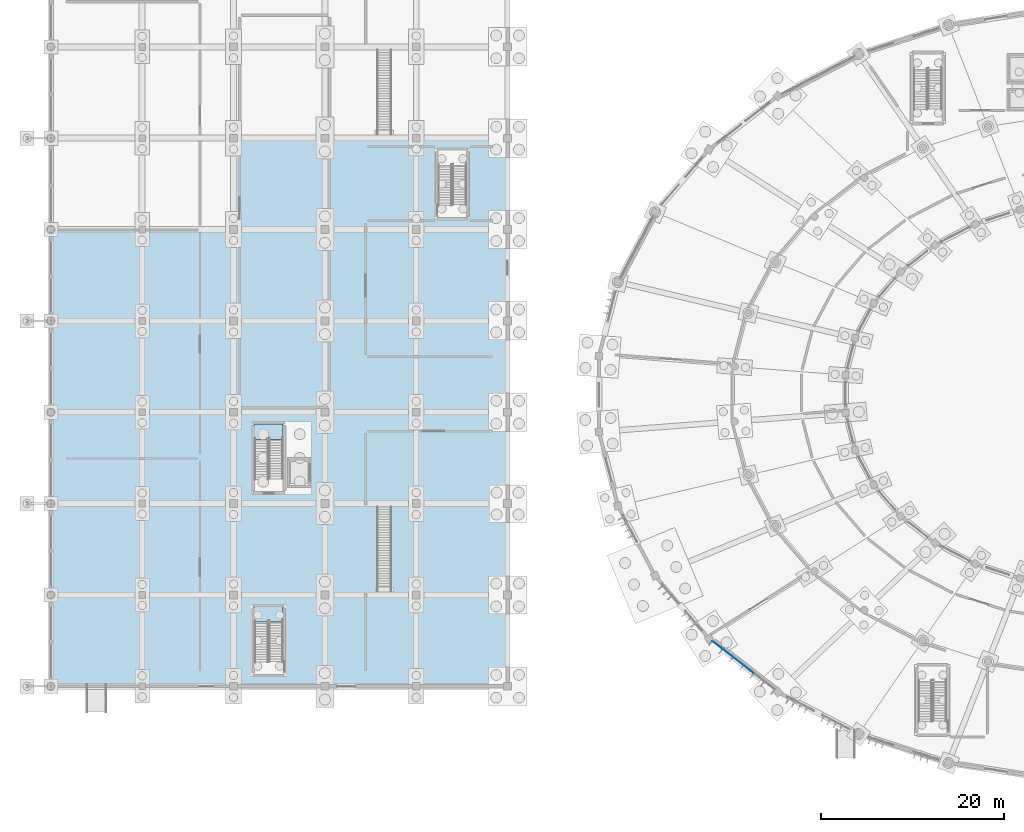
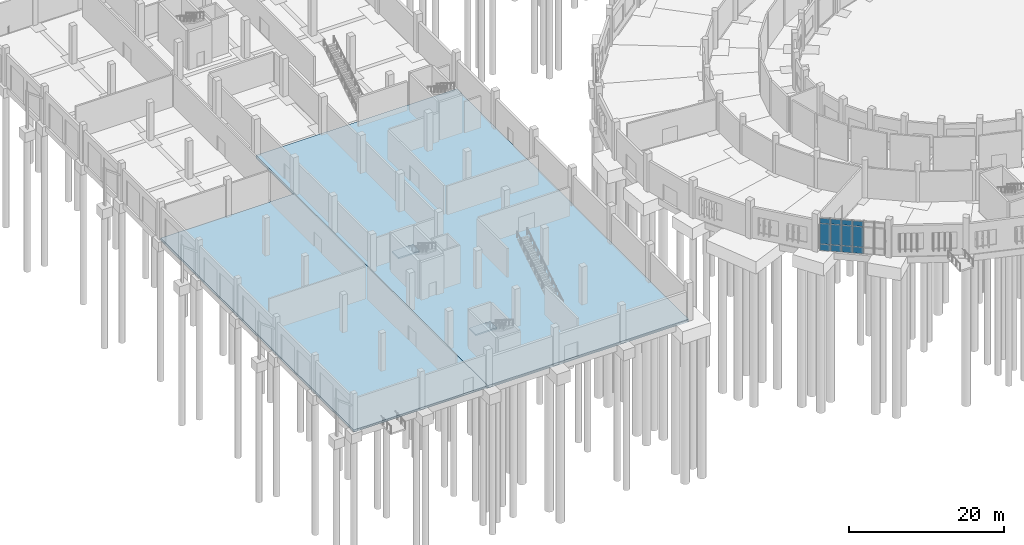
# One storey, part 57 of 140: 12 plates, 4 slabs, 3 elements without a shape of their own.
"""IFC4 building model written with IfcOpenShell, lengths in metres."""

from ifc_helpers import new_model, si_unit, direction, frame, origin, origin_2d, place, context, subcontext, project, spatial, polyline, rectangle, outline, extrude, material, layer, layer_set, type_object, element, aggregate, save


model = new_model("IFC4")

# Units and contexts
model_context = context("Model", 3, precision=1e-05, world=origin(), true_north=direction((0.0, 1.0)))
body_context = subcontext(model_context, "Body", "Model", "MODEL_VIEW")
ifc_project = project(units=[si_unit("LENGTHUNIT", "METRE"), si_unit("AREAUNIT", "SQUARE_METRE"), si_unit("VOLUMEUNIT", "CUBIC_METRE"), si_unit("PLANEANGLEUNIT", "RADIAN"), si_unit("MASSUNIT", "GRAM", prefix="KILO")], contexts=[model_context])

# Site, building, storey
site_placement = place(None, origin())
site = spatial("IfcSite", under=ifc_project, at=site_placement, CompositionType="ELEMENT")
building_placement = place(site_placement, origin())
building = spatial("IfcBuilding", under=site, at=building_placement, Name="Corvandel Quay Wholesale Market", CompositionType="ELEMENT")
storey_placement = place(building_placement, origin())
storey = spatial("IfcBuildingStorey", under=building, at=storey_placement, Name="L00", CompositionType="ELEMENT", Elevation=0.0)

# Curtain wall, plates
ifc_material_1 = material(Name="Bronze anodised aluminium and low-E insulated glazing", Category="aluminium")
ifc_layer_1 = layer(ifc_material_1, 0.14990234375)
ifc_layer_set_1 = layer_set([ifc_layer_1], Name="Bronze anodised aluminium and low-E insulated glazing")
curtain_wall_type = type_object("IfcCurtainWallType", Name="Stick Curtain Wall System CW20 H4800", PredefinedType="NOTDEFINED", material=ifc_layer_set_1)
curtain_wall_placement = place(storey_placement, origin())
curtain_wall = element("IfcCurtainWall", 1, at=curtain_wall_placement, inside=storey, type_object=curtain_wall_type, Name="Curtain Wall CW-0057", PredefinedType="NOTDEFINED")
ifc_material_2 = material(Name="Solar-control low-E insulated glazing", Category="glass")
ifc_layer_2 = layer(ifc_material_2, 0.0400390625)
ifc_layer_set_2 = layer_set([ifc_layer_2], Name="Solar-control low-E insulated glazing")
plate_type_1 = type_object("IfcPlateType", Name="Ceramic Fritted Spandrel Panel PN03 40mm", PredefinedType="CURTAIN_PANEL", material=ifc_layer_set_2)
plate_1_placement = place(storey_placement, frame((72.977783203125, 14.50927734375, 4.33251953125), z_axis=(0.0, 0.0, 1.0), x_axis=(-0.789298462742, 0.614009720373, 0.0)))
plate_1 = element("IfcPlate", 2, at=plate_1_placement, type_object=plate_type_1, Name="Glazing Panel CW-0057-P00-2", PredefinedType="CURTAIN_PANEL", context=body_context, shape_type="SweptSolid", body=[
    extrude(rectangle(XDim=1.373291015625, YDim=0.0400390625, at=origin_2d()), origin(), (0.0, 0.0, 1.0), 0.784912109375),
])
plate_2_placement = place(storey_placement, frame((74.113037109375, 13.626220703125, 4.33251953125), z_axis=(0.0, 0.0, 1.0), x_axis=(-0.789298462742, 0.614009720373, 0.0)))
plate_2 = element("IfcPlate", 3, at=plate_2_placement, type_object=plate_type_1, Name="Glazing Panel CW-0057-P01-2", PredefinedType="CURTAIN_PANEL", context=body_context, shape_type="SweptSolid", body=[
    extrude(rectangle(XDim=1.373291015625, YDim=0.0400390625, at=origin_2d()), origin(), (0.0, 0.0, 1.0), 0.784912109375),
])
plate_3_placement = place(storey_placement, frame((75.248291015625, 12.742919921875, 4.33251953125), z_axis=(0.0, 0.0, 1.0), x_axis=(-0.789298462742, 0.614009720373, 0.0)))
plate_3 = element("IfcPlate", 4, at=plate_3_placement, type_object=plate_type_1, Name="Glazing Panel CW-0057-P02-2", PredefinedType="CURTAIN_PANEL", context=body_context, shape_type="SweptSolid", body=[
    extrude(rectangle(XDim=1.373291015625, YDim=0.0400390625, at=origin_2d()), origin(), (0.0, 0.0, 1.0), 0.784912109375),
])
plate_4_placement = place(storey_placement, frame((76.383544921875, 11.860107421875, 4.33251953125), z_axis=(0.0, 0.0, 1.0), x_axis=(-0.789298462742, 0.614009720373, 0.0)))
plate_4 = element("IfcPlate", 5, at=plate_4_placement, type_object=plate_type_1, Name="Glazing Panel CW-0057-P03-2", PredefinedType="CURTAIN_PANEL", context=body_context, shape_type="SweptSolid", body=[
    extrude(rectangle(XDim=1.373291015625, YDim=0.0400390625, at=origin_2d()), origin(), (0.0, 0.0, 1.0), 0.784912109375),
])
ifc_layer_3 = layer(ifc_material_2, 0.028076171875)
ifc_layer_set_3 = layer_set([ifc_layer_3], Name="Solar-control low-E insulated glazing")
plate_type_2 = type_object("IfcPlateType", Name="Double Low-E Vision Panel PN01 28mm", PredefinedType="CURTAIN_PANEL", material=ifc_layer_set_3)
plate_5_placement = place(storey_placement, frame((72.977783203125, 14.50927734375, 0.0322265625), z_axis=(0.0, 0.0, 1.0), x_axis=(-0.789298462742, 0.614009720373, 0.0)))
plate_5 = element("IfcPlate", 6, at=plate_5_placement, type_object=plate_type_2, Name="Glazing Panel CW-0057-P00-0", PredefinedType="CURTAIN_PANEL", context=body_context, shape_type="SweptSolid", body=[
    extrude(rectangle(XDim=1.373291015625, YDim=0.028076171875, at=origin_2d()), origin(), (0.0, 0.0, 1.0), 0.985107421875),
])
plate_6_placement = place(storey_placement, frame((72.977783203125, 14.50927734375, 1.08251953125), z_axis=(0.0, 0.0, 1.0), x_axis=(-0.789298462742, 0.614009720373, 0.0)))
plate_6 = element("IfcPlate", 7, at=plate_6_placement, type_object=plate_type_2, Name="Glazing Panel CW-0057-P00-1", PredefinedType="CURTAIN_PANEL", context=body_context, shape_type="SweptSolid", body=[
    extrude(rectangle(XDim=1.373291015625, YDim=0.028076171875, at=origin_2d()), origin(), (0.0, 0.0, 1.0), 3.18505859375),
])
plate_7_placement = place(storey_placement, frame((74.113037109375, 13.626220703125, 0.0322265625), z_axis=(0.0, 0.0, 1.0), x_axis=(-0.789298462742, 0.614009720373, 0.0)))
plate_7 = element("IfcPlate", 8, at=plate_7_placement, type_object=plate_type_2, Name="Glazing Panel CW-0057-P01-0", PredefinedType="CURTAIN_PANEL", context=body_context, shape_type="SweptSolid", body=[
    extrude(rectangle(XDim=1.373291015625, YDim=0.028076171875, at=origin_2d()), origin(), (0.0, 0.0, 1.0), 0.985107421875),
])
plate_8_placement = place(storey_placement, frame((74.113037109375, 13.626220703125, 1.08251953125), z_axis=(0.0, 0.0, 1.0), x_axis=(-0.789298462742, 0.614009720373, 0.0)))
plate_8 = element("IfcPlate", 9, at=plate_8_placement, type_object=plate_type_2, Name="Glazing Panel CW-0057-P01-1", PredefinedType="CURTAIN_PANEL", context=body_context, shape_type="SweptSolid", body=[
    extrude(rectangle(XDim=1.373291015625, YDim=0.028076171875, at=origin_2d()), origin(), (0.0, 0.0, 1.0), 3.18505859375),
])
plate_9_placement = place(storey_placement, frame((75.248291015625, 12.742919921875, 0.0322265625), z_axis=(0.0, 0.0, 1.0), x_axis=(-0.789298462742, 0.614009720373, 0.0)))
plate_9 = element("IfcPlate", 10, at=plate_9_placement, type_object=plate_type_2, Name="Glazing Panel CW-0057-P02-0", PredefinedType="CURTAIN_PANEL", context=body_context, shape_type="SweptSolid", body=[
    extrude(rectangle(XDim=1.373291015625, YDim=0.028076171875, at=origin_2d()), origin(), (0.0, 0.0, 1.0), 0.985107421875),
])
plate_10_placement = place(storey_placement, frame((75.248291015625, 12.742919921875, 1.08251953125), z_axis=(0.0, 0.0, 1.0), x_axis=(-0.789298462742, 0.614009720373, 0.0)))
plate_10 = element("IfcPlate", 11, at=plate_10_placement, type_object=plate_type_2, Name="Glazing Panel CW-0057-P02-1", PredefinedType="CURTAIN_PANEL", context=body_context, shape_type="SweptSolid", body=[
    extrude(rectangle(XDim=1.373291015625, YDim=0.028076171875, at=origin_2d()), origin(), (0.0, 0.0, 1.0), 3.18505859375),
])
plate_11_placement = place(storey_placement, frame((76.383544921875, 11.860107421875, 0.0322265625), z_axis=(0.0, 0.0, 1.0), x_axis=(-0.789298462742, 0.614009720373, 0.0)))
plate_11 = element("IfcPlate", 12, at=plate_11_placement, type_object=plate_type_2, Name="Glazing Panel CW-0057-P03-0", PredefinedType="CURTAIN_PANEL", context=body_context, shape_type="SweptSolid", body=[
    extrude(rectangle(XDim=1.373291015625, YDim=0.028076171875, at=origin_2d()), origin(), (0.0, 0.0, 1.0), 0.985107421875),
])
plate_12_placement = place(storey_placement, frame((76.383544921875, 11.860107421875, 1.08251953125), z_axis=(0.0, 0.0, 1.0), x_axis=(-0.789298462742, 0.614009720373, 0.0)))
plate_12 = element("IfcPlate", 13, at=plate_12_placement, type_object=plate_type_2, Name="Glazing Panel CW-0057-P03-1", PredefinedType="CURTAIN_PANEL", context=body_context, shape_type="SweptSolid", body=[
    extrude(rectangle(XDim=1.373291015625, YDim=0.028076171875, at=origin_2d()), origin(), (0.0, 0.0, 1.0), 3.18505859375),
])
aggregate(curtain_wall, [plate_5, plate_6, plate_1, plate_7, plate_8, plate_2, plate_9, plate_10, plate_3, plate_11, plate_12, plate_4])

# Slabs
ifc_material_3 = material(Name="Concrete C40/50", Category="concrete")
ifc_layer_4 = layer(ifc_material_3, 0.35009765625)
ifc_layer_set_4 = layer_set([ifc_layer_4], Name="Concrete C40/50")
slab_type_1 = type_object("IfcSlabType", Name="Ground Bearing Base Slab 350", PredefinedType="BASESLAB", material=ifc_layer_set_4)
slab_1_placement = place(storey_placement, frame((0.0, 0.0, -0.35009765625)))
element("IfcSlab", 14, at=slab_1_placement, inside=storey, type_object=slab_type_1, Name="Slab SLB-0448", PredefinedType="BASESLAB", context=body_context, shape_type="SweptSolid", body=[
    extrude(outline(polyline([(0.0, 10.0), (20.0, 10.0), (20.0, 60.0), (0.0, 60.0), (0.0, 10.0)])), origin(), (0.0, 0.0, 1.0), 0.35009765625),
])
ifc_layer_5 = layer(ifc_material_3, 0.419921875)
ifc_layer_set_5 = layer_set([ifc_layer_5], Name="Concrete C40/50")
slab_type_2 = type_object("IfcSlabType", Name="Ground Bearing Cold Store Slab 420", PredefinedType="BASESLAB", material=ifc_layer_set_5)
slab_2_placement = place(storey_placement, frame((0.0, 0.0, -0.419921875)))
element("IfcSlab", 15, at=slab_2_placement, inside=storey, type_object=slab_type_2, Name="Slab SLB-0452", PredefinedType="BASESLAB", context=body_context, shape_type="SweptSolid", body=[
    extrude(outline(polyline([(20.0, 10.0), (50.0, 10.0), (50.0, 70.0), (20.0, 70.0), (20.0, 10.0)])), origin(), (0.0, 0.0, 1.0), 0.419921875),
])

# Stair, slab
stair_type = type_object("IfcStairType", Name="Exit Stair Two-Return L00-L01 ST01", PredefinedType="USERDEFINED", material=ifc_material_3)
stair_1_placement = place(storey_placement, origin())
stair_1 = element("IfcStair", 16, at=stair_1_placement, inside=storey, type_object=stair_type, Name="Exit Stair STR-018", ObjectType="TWO_RETURN_STAIR", PredefinedType="USERDEFINED")
ifc_layer_6 = layer(ifc_material_3, 0.219970703125)
ifc_layer_set_6 = layer_set([ifc_layer_6], Name="Concrete C40/50")
slab_type_3 = type_object("IfcSlabType", Name="Precast Stair Landing LND01 220", PredefinedType="LANDING", material=ifc_layer_set_6)
slab_3_placement = place(storey_placement, frame((0.0, 0.0, 2.780029296875)))
slab_3 = element("IfcSlab", 17, at=slab_3_placement, type_object=slab_type_3, Name="Stair Landing STR-018-LND", PredefinedType="LANDING", context=body_context, shape_type="SweptSolid", body=[
    extrude(outline(polyline([(22.260009765625, 37.030029296875), (25.43994140625, 37.030029296875), (25.43994140625, 38.739990234375), (22.260009765625, 38.739990234375), (22.260009765625, 37.030029296875)])), origin(), (0.0, 0.0, 1.0), 0.219970703125),
])
aggregate(stair_1, [slab_3])

stair_2_placement = place(storey_placement, origin())
stair_2 = element("IfcStair", 18, at=stair_2_placement, inside=storey, type_object=stair_type, Name="Exit Stair STR-024", ObjectType="TWO_RETURN_STAIR", PredefinedType="USERDEFINED")
slab_4_placement = place(storey_placement, frame((0.0, 0.0, 2.780029296875)))
slab_4 = element("IfcSlab", 19, at=slab_4_placement, type_object=slab_type_3, Name="Stair Landing STR-024-LND", PredefinedType="LANDING", context=body_context, shape_type="SweptSolid", body=[
    extrude(outline(polyline([(22.260009765625, 17.030029296875), (25.43994140625, 17.030029296875), (25.43994140625, 18.739990234375), (22.260009765625, 18.739990234375), (22.260009765625, 17.030029296875)])), origin(), (0.0, 0.0, 1.0), 0.219970703125),
])
aggregate(stair_2, [slab_4])

save(model, "model.ifc")
